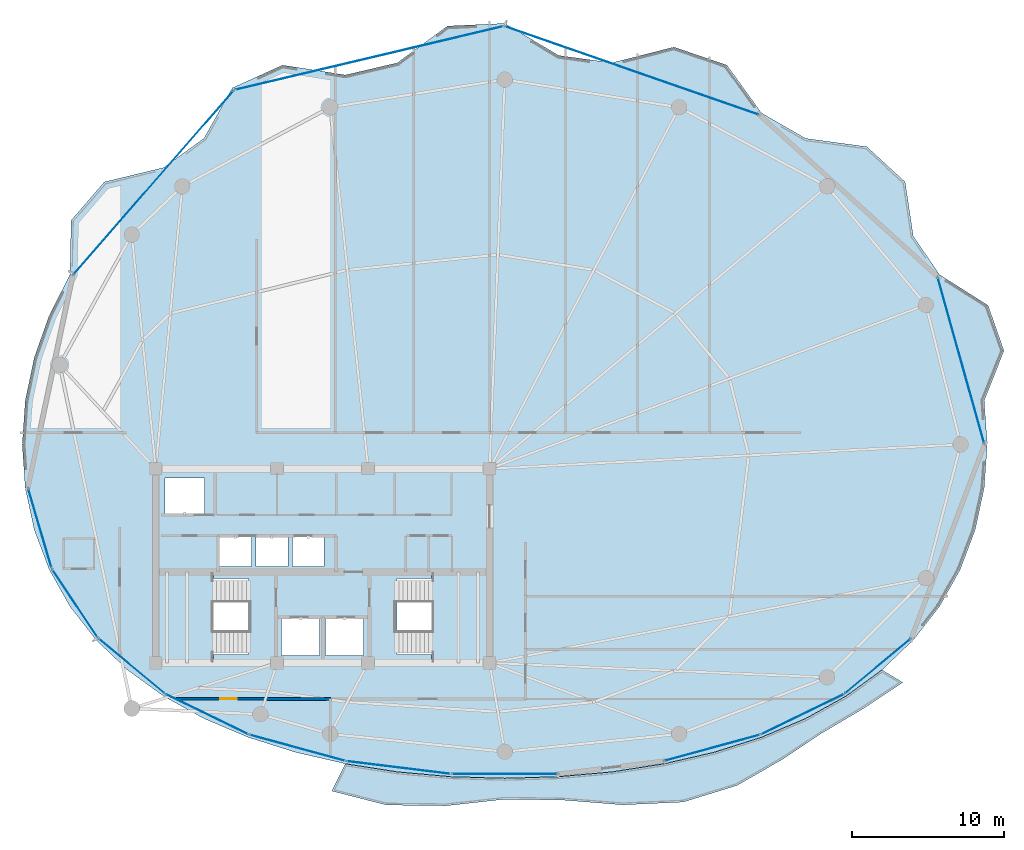
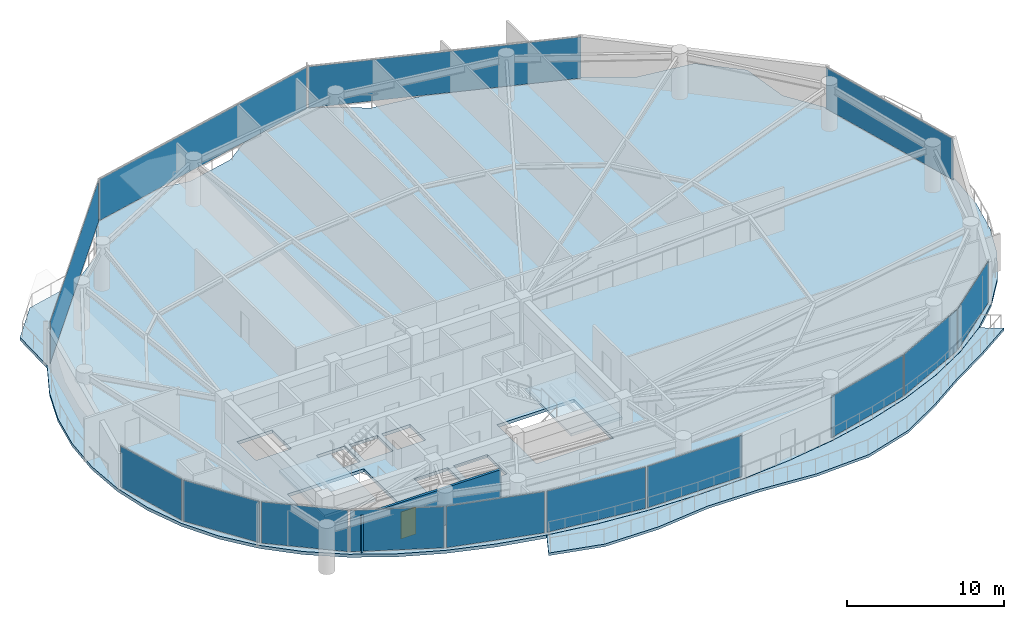
# One storey, part 22 of 28: 14 plates, 4 slabs, 1 door, 1 wall, 1 opening, 16 elements without a shape of their own.
"""IFC4 building model written with IfcOpenShell, lengths in metres."""

from ifc_helpers import new_model, si_unit, direction, frame, frame_2d, origin, origin_2d, place, context, subcontext, project, spatial, polyline, rectangle, outline, extrude, material, layer, layer_set, type_object, element, fill, aggregate, save


model = new_model("IFC4")

# Units and contexts
model_context = context("Model", 3, precision=1e-05, world=origin(), true_north=direction((0.0, 1.0)))
body_context = subcontext(model_context, "Body", "Model", "MODEL_VIEW")
ifc_project = project(units=[si_unit("LENGTHUNIT", "METRE"), si_unit("AREAUNIT", "SQUARE_METRE"), si_unit("VOLUMEUNIT", "CUBIC_METRE"), si_unit("PLANEANGLEUNIT", "RADIAN"), si_unit("MASSUNIT", "GRAM", prefix="KILO")], contexts=[model_context])

# Site, building, storey
site_placement = place(None, origin())
site = spatial("IfcSite", under=ifc_project, at=site_placement, CompositionType="ELEMENT")
building_placement = place(site_placement, origin())
building = spatial("IfcBuilding", under=site, at=building_placement, Name="Kazevale Care Tower and Concert Hall", CompositionType="ELEMENT")
storey_placement = place(building_placement, frame((0.0, 0.0, 231.60009765625)))
storey = spatial("IfcBuildingStorey", under=building, at=storey_placement, Name="L61", CompositionType="ELEMENT", Elevation=231.60009765625)

# Curtain wall, plate
ifc_material_1 = material(Name="Aluminium 6063-T6 and Low-E Glass", Category="aluminium")
ifc_layer_1 = layer(ifc_material_1, 0.179931640625)
ifc_layer_set_1 = layer_set([ifc_layer_1], Name="Aluminium 6063-T6 and Low-E Glass")
curtain_wall_type_1 = type_object("IfcCurtainWallType", Name="Convex Checkerboard Finned Curtain Wall CW-2", PredefinedType="NOTDEFINED", material=ifc_layer_set_1)
curtain_wall_1_placement = place(storey_placement, origin())
curtain_wall_1 = element("IfcCurtainWall", 1, at=curtain_wall_1_placement, inside=storey, type_object=curtain_wall_type_1, Name="cw:L61:f14", PredefinedType="NOTDEFINED")
ifc_material_2 = material(Name="Low-E Laminated Glass", Category="glass")
ifc_layer_2 = layer(ifc_material_2, 0.028076171875)
ifc_layer_set_2 = layer_set([ifc_layer_2], Name="Low-E Laminated Glass")
plate_type_1 = type_object("IfcPlateType", Name="CW-2 Low-E Glazing Panel 28mm", PredefinedType="CURTAIN_PANEL", material=ifc_layer_set_2)
plate_1_placement = place(storey_placement, frame((21.85009765625, 55.2529296875, 0.074951171875), z_axis=(0.0, 0.0, 1.0), x_axis=(0.657174776708, 0.753738225685, 0.0)))
plate_1 = element("IfcPlate", 2, at=plate_1_placement, type_object=plate_type_1, Name="CW-2 panel 1.1", PredefinedType="CURTAIN_PANEL", context=body_context, shape_type="SweptSolid", body=[
    extrude(rectangle(XDim=16.03662109375, YDim=0.028076171875, at=origin_2d()), origin(), (0.0, 0.0, 1.0), 3.2099609375),
])
aggregate(curtain_wall_1, [plate_1])

curtain_wall_2_placement = place(storey_placement, origin())
curtain_wall_2 = element("IfcCurtainWall", 3, at=curtain_wall_2_placement, inside=storey, type_object=curtain_wall_type_1, Name="cw:L61:f16", PredefinedType="NOTDEFINED")
plate_2_placement = place(storey_placement, frame((53.37451171875, 62.638427734375, 0.074951171875), z_axis=(0.0, 0.0, 1.0), x_axis=(0.94447485363, -0.328583704497, 0.0)))
plate_2 = element("IfcPlate", 4, at=plate_2_placement, type_object=plate_type_1, Name="CW-2 panel 1.1", PredefinedType="CURTAIN_PANEL", context=body_context, shape_type="SweptSolid", body=[
    extrude(rectangle(XDim=17.671142578125, YDim=0.028076171875, at=origin_2d()), origin(), (0.0, 0.0, 1.0), 3.2099609375),
])
aggregate(curtain_wall_2, [plate_2])

ifc_layer_3 = layer(ifc_material_1, 0.179931640625)
ifc_layer_set_3 = layer_set([ifc_layer_3], Name="Aluminium 6063-T6 and Low-E Glass")
curtain_wall_type_2 = type_object("IfcCurtainWallType", Name="Waist & Upper Residential Curtain Wall CW-4", PredefinedType="NOTDEFINED", material=ifc_layer_set_3)
curtain_wall_3_placement = place(storey_placement, origin())
curtain_wall_3 = element("IfcCurtainWall", 5, at=curtain_wall_3_placement, inside=storey, type_object=curtain_wall_type_2, Name="cw:L61:f11", PredefinedType="NOTDEFINED")
ifc_layer_4 = layer(ifc_material_2, 0.030029296875)
ifc_layer_set_4 = layer_set([ifc_layer_4], Name="Low-E Laminated Glass")
plate_type_2 = type_object("IfcPlateType", Name="CW-4 Low-E Glazing Panel 30mm", PredefinedType="CURTAIN_PANEL", material=ifc_layer_set_4)
plate_3_placement = place(storey_placement, frame((16.677978515625, 27.525390625, 0.080078125), z_axis=(0.0, 0.0, 1.0), x_axis=(-0.554616540853, 0.832106058512, 0.0)))
plate_3 = element("IfcPlate", 6, at=plate_3_placement, type_object=plate_type_2, Name="CW-4 panel 1.1", PredefinedType="CURTAIN_PANEL", context=body_context, shape_type="SweptSolid", body=[
    extrude(rectangle(XDim=5.357421875, YDim=0.030029296875, at=origin_2d()), origin(), (0.0, 0.0, 1.0), 3.199951171875),
])
aggregate(curtain_wall_3, [plate_3])

curtain_wall_4_placement = place(storey_placement, origin())
curtain_wall_4 = element("IfcCurtainWall", 7, at=curtain_wall_4_placement, inside=storey, type_object=curtain_wall_type_2, Name="cw:L61:f12", PredefinedType="NOTDEFINED")
plate_4_placement = place(storey_placement, frame((14.363525390625, 32.489013671875, 0.080078125), z_axis=(0.0, 0.0, 1.0), x_axis=(-0.282098184457, 0.959385539982, 0.0)))
plate_4 = element("IfcPlate", 8, at=plate_4_placement, type_object=plate_type_2, Name="CW-4 panel 1.1", PredefinedType="CURTAIN_PANEL", context=body_context, shape_type="SweptSolid", body=[
    extrude(rectangle(XDim=5.40185546875, YDim=0.030029296875, at=origin_2d()), origin(), (0.0, 0.0, 1.0), 3.199951171875),
])
aggregate(curtain_wall_4, [plate_4])

curtain_wall_5_placement = place(storey_placement, origin())
curtain_wall_5 = element("IfcCurtainWall", 9, at=curtain_wall_5_placement, inside=storey, type_object=curtain_wall_type_2, Name="cw:L61:f15", PredefinedType="NOTDEFINED")
plate_5_placement = place(storey_placement, frame((36.06298828125, 63.46240234375, 0.080078125), z_axis=(0.0, 0.0, 1.0), x_axis=(0.973086746233, 0.230439111929, 0.0)))
plate_5 = element("IfcPlate", 10, at=plate_5_placement, type_object=plate_type_2, Name="CW-4 panel 1.1", PredefinedType="CURTAIN_PANEL", context=body_context, shape_type="SweptSolid", body=[
    extrude(rectangle(XDim=18.11376953125, YDim=0.030029296875, at=origin_2d()), origin(), (0.0, 0.0, 1.0), 3.199951171875),
])
aggregate(curtain_wall_5, [plate_5])

curtain_wall_6_placement = place(storey_placement, origin())
curtain_wall_6 = element("IfcCurtainWall", 11, at=curtain_wall_6_placement, inside=storey, type_object=curtain_wall_type_2, Name="cw:L61:f18", PredefinedType="NOTDEFINED")
plate_6_placement = place(storey_placement, frame((75.071533203125, 43.531005859375, 0.080078125), z_axis=(0.0, 0.0, 1.0), x_axis=(0.269600864915, -0.962972156211, 0.0)))
plate_6 = element("IfcPlate", 12, at=plate_6_placement, type_object=plate_type_2, Name="CW-4 panel 1.1", PredefinedType="CURTAIN_PANEL", context=body_context, shape_type="SweptSolid", body=[
    extrude(rectangle(XDim=11.327392578125, YDim=0.030029296875, at=origin_2d()), origin(), (0.0, 0.0, 1.0), 3.199951171875),
])
aggregate(curtain_wall_6, [plate_6])

ifc_layer_5 = layer(ifc_material_1, 0.179931640625)
ifc_layer_set_5 = layer_set([ifc_layer_5], Name="Aluminium 6063-T6 and Low-E Glass")
curtain_wall_type_3 = type_object("IfcCurtainWallType", Name="Sheltered Concave Balcony Curtain Wall CW-5", PredefinedType="NOTDEFINED", material=ifc_layer_set_5)
curtain_wall_7_placement = place(storey_placement, origin())
curtain_wall_7 = element("IfcCurtainWall", 13, at=curtain_wall_7_placement, inside=storey, type_object=curtain_wall_type_3, Name="cw:L61:f02", PredefinedType="NOTDEFINED")
ifc_layer_6 = layer(ifc_material_2, 0.02587890625)
ifc_layer_set_6 = layer_set([ifc_layer_6], Name="Low-E Laminated Glass")
plate_type_3 = type_object("IfcPlateType", Name="CW-5 Low-E Glazing Panel 26mm", PredefinedType="CURTAIN_PANEL", material=ifc_layer_set_6)
plate_7_placement = place(storey_placement, frame((69.590576171875, 23.396484375, 0.074951171875), z_axis=(0.0, 0.0, 1.0), x_axis=(-0.768407210062, -0.639961217204, 0.0)))
plate_7 = element("IfcPlate", 14, at=plate_7_placement, type_object=plate_type_3, Name="CW-5 panel 1.1", PredefinedType="CURTAIN_PANEL", context=body_context, shape_type="SweptSolid", body=[
    extrude(rectangle(XDim=5.580078125, YDim=0.02587890625, at=origin_2d()), origin(), (0.0, 0.0, 1.0), 3.2099609375),
])
aggregate(curtain_wall_7, [plate_7])

curtain_wall_8_placement = place(storey_placement, origin())
curtain_wall_8 = element("IfcCurtainWall", 15, at=curtain_wall_8_placement, inside=storey, type_object=curtain_wall_type_3, Name="cw:L61:f03", PredefinedType="NOTDEFINED")
plate_8_placement = place(storey_placement, frame((64.62255859375, 20.218017578125, 0.074951171875), z_axis=(0.0, 0.0, 1.0), x_axis=(-0.89934566163, -0.437238357087, 0.0)))
plate_8 = element("IfcPlate", 16, at=plate_8_placement, type_object=plate_type_3, Name="CW-5 panel 1.1", PredefinedType="CURTAIN_PANEL", context=body_context, shape_type="SweptSolid", body=[
    extrude(rectangle(XDim=6.002197265625, YDim=0.02587890625, at=origin_2d()), origin(), (0.0, 0.0, 1.0), 3.2099609375),
])
aggregate(curtain_wall_8, [plate_8])

curtain_wall_9_placement = place(storey_placement, origin())
curtain_wall_9 = element("IfcCurtainWall", 17, at=curtain_wall_9_placement, inside=storey, type_object=curtain_wall_type_3, Name="cw:L61:f04", PredefinedType="NOTDEFINED")
plate_9_placement = place(storey_placement, frame((58.66259765625, 18.0029296875, 0.074951171875), z_axis=(0.0, 0.0, 1.0), x_axis=(-0.964836991167, -0.262848968947, 0.0)))
plate_9 = element("IfcPlate", 18, at=plate_9_placement, type_object=plate_type_3, Name="CW-5 panel 1.1", PredefinedType="CURTAIN_PANEL", context=body_context, shape_type="SweptSolid", body=[
    extrude(rectangle(XDim=6.4697265625, YDim=0.02587890625, at=origin_2d()), origin(), (0.0, 0.0, 1.0), 3.2099609375),
])
aggregate(curtain_wall_9, [plate_9])

curtain_wall_10_placement = place(storey_placement, origin())
curtain_wall_10 = element("IfcCurtainWall", 19, at=curtain_wall_10_placement, inside=storey, type_object=curtain_wall_type_3, Name="cw:L61:f06", PredefinedType="NOTDEFINED")
plate_10_placement = place(storey_placement, frame((45.0, 16.284912109375, 0.074951171875), z_axis=(0.0, 0.0, 1.0), x_axis=(-1.0, 0.0, 0.0)))
plate_10 = element("IfcPlate", 20, at=plate_10_placement, type_object=plate_type_3, Name="CW-5 panel 1.1", PredefinedType="CURTAIN_PANEL", context=body_context, shape_type="SweptSolid", body=[
    extrude(rectangle(XDim=6.949951171875, YDim=0.02587890625, at=origin_2d()), origin(), (0.0, 0.0, 1.0), 3.2099609375),
])
aggregate(curtain_wall_10, [plate_10])

curtain_wall_11_placement = place(storey_placement, origin())
curtain_wall_11 = element("IfcCurtainWall", 21, at=curtain_wall_11_placement, inside=storey, type_object=curtain_wall_type_3, Name="cw:L61:f07", PredefinedType="NOTDEFINED")
plate_11_placement = place(storey_placement, frame((37.990478515625, 16.708984375, 0.074951171875), z_axis=(0.0, 0.0, 1.0), x_axis=(-0.992572961225, 0.121650797964, 0.0)))
plate_11 = element("IfcPlate", 22, at=plate_11_placement, type_object=plate_type_3, Name="CW-5 panel 1.1", PredefinedType="CURTAIN_PANEL", context=body_context, shape_type="SweptSolid", body=[
    extrude(rectangle(XDim=6.82080078125, YDim=0.02587890625, at=origin_2d()), origin(), (0.0, 0.0, 1.0), 3.2099609375),
])
aggregate(curtain_wall_11, [plate_11])

curtain_wall_12_placement = place(storey_placement, origin())
curtain_wall_12 = element("IfcCurtainWall", 23, at=curtain_wall_12_placement, inside=storey, type_object=curtain_wall_type_3, Name="cw:L61:f08", PredefinedType="NOTDEFINED")
plate_12_placement = place(storey_placement, frame((31.33740234375, 18.0029296875, 0.074951171875), z_axis=(0.0, 0.0, 1.0), x_axis=(-0.964836991167, 0.262848968947, 0.0)))
plate_12 = element("IfcPlate", 24, at=plate_12_placement, type_object=plate_type_3, Name="CW-5 panel 1.1", PredefinedType="CURTAIN_PANEL", context=body_context, shape_type="SweptSolid", body=[
    extrude(rectangle(XDim=6.4697265625, YDim=0.02587890625, at=origin_2d()), origin(), (0.0, 0.0, 1.0), 3.2099609375),
])
aggregate(curtain_wall_12, [plate_12])

curtain_wall_13_placement = place(storey_placement, origin())
curtain_wall_13 = element("IfcCurtainWall", 25, at=curtain_wall_13_placement, inside=storey, type_object=curtain_wall_type_3, Name="cw:L61:f09", PredefinedType="NOTDEFINED")
plate_13_placement = place(storey_placement, frame((25.37744140625, 20.218017578125, 0.074951171875), z_axis=(0.0, 0.0, 1.0), x_axis=(-0.89934566163, 0.437238357087, 0.0)))
plate_13 = element("IfcPlate", 26, at=plate_13_placement, type_object=plate_type_3, Name="CW-5 panel 1.1", PredefinedType="CURTAIN_PANEL", context=body_context, shape_type="SweptSolid", body=[
    extrude(rectangle(XDim=6.002197265625, YDim=0.02587890625, at=origin_2d()), origin(), (0.0, 0.0, 1.0), 3.2099609375),
])
aggregate(curtain_wall_13, [plate_13])

curtain_wall_14_placement = place(storey_placement, origin())
curtain_wall_14 = element("IfcCurtainWall", 27, at=curtain_wall_14_placement, inside=storey, type_object=curtain_wall_type_3, Name="cw:L61:f10", PredefinedType="NOTDEFINED")
plate_14_placement = place(storey_placement, frame((20.409423828125, 23.396484375, 0.074951171875), z_axis=(0.0, 0.0, 1.0), x_axis=(-0.768407210062, 0.639961217204, 0.0)))
plate_14 = element("IfcPlate", 28, at=plate_14_placement, type_object=plate_type_3, Name="CW-5 panel 1.1", PredefinedType="CURTAIN_PANEL", context=body_context, shape_type="SweptSolid", body=[
    extrude(rectangle(XDim=5.580078125, YDim=0.02587890625, at=origin_2d()), origin(), (0.0, 0.0, 1.0), 3.2099609375),
])
aggregate(curtain_wall_14, [plate_14])

# Slab
ifc_material_3 = material(Name="Concrete C40", Category="concrete")
ifc_layer_7 = layer(ifc_material_3, 0.199951171875)
ifc_layer_set_7 = layer_set([ifc_layer_7], Name="Concrete C40")
slab_type_1 = type_object("IfcSlabType", Name="Sinusoidal Concave Balcony Slab 200", PredefinedType="USERDEFINED", material=ifc_layer_set_7)
slab_1_placement = place(storey_placement, frame((0.0, 0.0, -0.2001953125)))
element("IfcSlab", 29, at=slab_1_placement, inside=storey, type_object=slab_type_1, Name="slab:L61:bal", ObjectType="BALCONY", PredefinedType="USERDEFINED", context=body_context, shape_type="SweptSolid", body=[
    extrude(outline(polyline([(71.234619140625, 22.31640625), (68.611572265625, 20.580322265625), (65.888427734375, 18.966552734375), (63.23291015625, 17.204345703125), (60.2919921875, 15.516357421875), (56.7626953125, 14.431884765625), (52.78955078125, 14.2470703125), (48.81103515625, 14.56396484375), (45.0, 14.6171875), (41.12744140625, 14.185791015625), (37.206787109375, 14.235595703125), (33.60009765625, 15.158935546875), (34.494873046875, 16.951416015625), (34.49609375, 16.951171875), (37.923095703125, 16.417236328125), (41.439208984375, 16.10009765625), (45.0, 15.9951171875), (48.560791015625, 16.10009765625), (52.076904296875, 16.417236328125), (55.50390625, 16.951171875), (58.798828125, 17.708740234375), (61.92041015625, 18.69873046875), (64.8291015625, 19.92919921875), (67.48876953125, 21.406494140625), (69.865478515625, 23.133056640625), (69.86669921875, 23.13427734375), (71.234619140625, 22.31640625)])), origin(), (0.0, 0.0, 1.0), 0.2001953125),
])

# Stair, slab
stair_type = type_object("IfcStairType", Name="Exit Stair Assembly ST1-Z3", PredefinedType="HALF_TURN_STAIR", material=ifc_material_3)
stair_1_placement = place(storey_placement, origin())
stair_1 = element("IfcStair", 30, at=stair_1_placement, inside=storey, type_object=stair_type, Name="stair:L61:ST1", PredefinedType="HALF_TURN_STAIR")
ifc_layer_8 = layer(ifc_material_3, 0.199951171875)
ifc_layer_set_8 = layer_set([ifc_layer_8], Name="Concrete C40")
slab_type_2 = type_object("IfcSlabType", Name="Stair Half-Landing Slab ST1-Z3", PredefinedType="LANDING", material=ifc_layer_set_8)
slab_2_placement = place(storey_placement, frame((0.0, 0.0, 1.599853515625)))
slab_2 = element("IfcSlab", 31, at=slab_2_placement, type_object=slab_type_2, Name="ST1-Z3 landing 1", PredefinedType="LANDING", context=body_context, shape_type="SweptSolid", body=[
    extrude(outline(polyline([(22.050048828125, 23.699951171875), (25.81005859375, 23.699951171875), (25.81005859375, 29.5), (22.050048828125, 29.5), (22.050048828125, 23.699951171875)])), origin(), (0.0, 0.0, 1.0), 0.199951171875),
])
aggregate(stair_1, [slab_2])

stair_2_placement = place(storey_placement, origin())
stair_2 = element("IfcStair", 32, at=stair_2_placement, inside=storey, type_object=stair_type, Name="stair:L61:ST2", PredefinedType="HALF_TURN_STAIR")
slab_3_placement = place(storey_placement, frame((0.0, 0.0, 1.599853515625)))
slab_3 = element("IfcSlab", 33, at=slab_3_placement, type_object=slab_type_2, Name="ST1-Z3 landing 1", PredefinedType="LANDING", context=body_context, shape_type="SweptSolid", body=[
    extrude(outline(polyline([(40.18994140625, 23.699951171875), (43.949951171875, 23.699951171875), (43.949951171875, 29.5), (40.18994140625, 29.5), (40.18994140625, 23.699951171875)])), origin(), (0.0, 0.0, 1.0), 0.199951171875),
])
aggregate(stair_2, [slab_3])

# Slab
ifc_layer_9 = layer(ifc_material_3, 0.239990234375)
ifc_layer_set_9 = layer_set([ifc_layer_9], Name="Concrete C40")
slab_type_3 = type_object("IfcSlabType", Name="Tower Typical Floor Slab 240", PredefinedType="FLOOR", material=ifc_layer_set_9)
slab_4_placement = place(storey_placement, frame((0.0, 0.0, -0.239990234375)))
element("IfcSlab", 34, at=slab_4_placement, inside=storey, type_object=slab_type_3, Name="slab:L61:tw:1", PredefinedType="FLOOR", context=body_context, shape_type="SweptSolid", body=[
    extrude(outline(polyline([(76.800048828125, 38.0), (76.60009765625, 40.888671875), (77.90380859375, 44.175048828125), (76.856201171875, 47.165283203125), (73.65087890625, 49.194091796875), (71.92578125, 51.726318359375), (71.38671875, 55.3017578125), (68.864990234375, 57.622314453125), (64.826904296875, 58.17138671875), (61.918701171875, 59.845458984375), (59.6435546875, 63.001953125), (56.14697265625, 64.19287109375), (52.076171875, 63.153076171875), (48.560546875, 63.6376953125), (45.0, 65.75), (41.22119140625, 65.575439453125), (37.923828125, 63.153076171875), (34.4970703125, 62.352294921875), (30.3564453125, 63.001953125), (27.0439453125, 61.49658203125), (25.173095703125, 58.17138671875), (22.513916015625, 56.243408203125), (18.61328125, 55.3017578125), (16.423095703125, 52.763916015625), (16.34912109375, 49.194091796875), (14.984619140625, 46.521240234375), (13.997314453125, 43.740966796875), (13.39990234375, 40.888671875), (13.199951171875, 38.0), (13.39990234375, 35.131103515625), (13.997314453125, 32.362060546875), (14.984619140625, 29.744873046875), (16.34912109375, 27.318115234375), (18.07421875, 25.109130859375), (20.1376953125, 23.13671875), (22.513916015625, 21.41064453125), (25.173095703125, 19.933837890625), (28.081298828125, 18.70361328125), (31.202392578125, 17.713623046875), (34.4970703125, 16.9560546875), (37.923828125, 16.422119140625), (41.439453125, 16.10498046875), (45.0, 16.0), (48.560546875, 16.10498046875), (52.076171875, 16.422119140625), (55.5029296875, 16.9560546875), (58.797607421875, 17.713623046875), (61.918701171875, 18.70361328125), (64.826904296875, 19.933837890625), (67.486083984375, 21.41064453125), (69.8623046875, 23.13671875), (71.92578125, 25.109130859375), (73.65087890625, 27.318115234375), (75.015380859375, 29.744873046875), (76.002685546875, 32.362060546875), (76.60009765625, 35.131103515625), (76.800048828125, 38.0)]), holes=[polyline([(22.449951171875, 24.14990234375), (28.110107421875, 24.14990234375), (28.110107421875, 29.14990234375), (22.449951171875, 29.14990234375), (22.449951171875, 24.14990234375)]), polyline([(37.889892578125, 24.14990234375), (43.550048828125, 24.14990234375), (43.550048828125, 29.14990234375), (37.889892578125, 29.14990234375), (37.889892578125, 24.14990234375)]), polyline([(30.300048828125, 24.10009765625), (32.800048828125, 24.10009765625), (32.800048828125, 26.60009765625), (30.300048828125, 26.60009765625), (30.300048828125, 24.10009765625)]), polyline([(33.199951171875, 24.10009765625), (35.699951171875, 24.10009765625), (35.699951171875, 26.60009765625), (33.199951171875, 26.60009765625), (33.199951171875, 24.10009765625)]), polyline([(22.60009765625, 33.39990234375), (25.199951171875, 33.39990234375), (25.199951171875, 35.800048828125), (22.60009765625, 35.800048828125), (22.60009765625, 33.39990234375)]), polyline([(26.199951171875, 29.949951171875), (28.300048828125, 29.949951171875), (28.300048828125, 31.949951171875), (26.199951171875, 31.949951171875), (26.199951171875, 29.949951171875)]), polyline([(28.60009765625, 29.949951171875), (30.699951171875, 29.949951171875), (30.699951171875, 31.949951171875), (28.60009765625, 31.949951171875), (28.60009765625, 29.949951171875)]), polyline([(31.0, 29.949951171875), (33.10009765625, 29.949951171875), (33.10009765625, 31.949951171875), (31.0, 31.949951171875), (31.0, 29.949951171875)])]), origin(), (0.0, 0.0, 1.0), 0.239990234375),
])

# Wall, opening, door
ifc_material_4 = material(Name="Concrete C40 and Acoustic Gypsum", Category="concrete")
ifc_layer_10 = layer(ifc_material_4, 0.179931640625)
ifc_layer_set_10 = layer_set([ifc_layer_10], Name="Concrete C40 and Acoustic Gypsum")
wall_type = type_object("IfcWallType", Name="Fire-Rated Corridor & Party Wall 180", PredefinedType="PARTITIONING", material=ifc_layer_set_10)
wall_placement = place(storey_placement, frame((33.56494140625, 21.22509765625, 0.0), z_axis=(0.0, 0.0, 1.0), x_axis=(-0.999998619279, 0.001661758222, 0.0)))
wall = element("IfcWall", 35, at=wall_placement, inside=storey, type_object=wall_type, Name="wall:L61:auto_013", PredefinedType="PARTITIONING", context=body_context, shape_type="SweptSolid", body=[
    extrude(rectangle(XDim=10.2841796875, YDim=0.179931640625, at=frame_2d((5.14208984375, 0.0))), origin(), (0.0, 0.0, 1.0), 2.889892578125),
])
opening_placement = place(wall_placement, frame((6.22900390625, 0.0, 0.0)))
opening = element("IfcOpeningElement", 36, at=opening_placement, cuts=wall, Name="Opening ID-1100", PredefinedType="OPENING", context=body_context, shape_type="SweptSolid", body=[
    extrude(rectangle(XDim=1.10009765625, YDim=2.10009765625, at=frame_2d((0.550048828125, 1.050048828125))), frame((0.0, 0.099853515625, 0.0), z_axis=(0.0, -1.0, 0.0), x_axis=(1.0, 0.0, 0.0)), (0.0, 0.0, 1.0), 0.199951171875),
])
ifc_material_5 = material(Name="Oak Timber Fire Leaf", Category="wood")
door_type = type_object("IfcDoorType", Name="Care Bedroom Accessible Door 1100x2100", OperationType="NOTDEFINED", PredefinedType="DOOR", material=ifc_material_5)
door_placement = place(opening_placement, origin())
door = element("IfcDoor", 37, at=door_placement, inside=storey, type_object=door_type, Name="door:L61:ad_013", OperationType="SINGLE_SWING_LEFT", OverallHeight=2.10009765625, OverallWidth=1.10009765625, PredefinedType="DOOR", context=body_context, shape_type="SweptSolid", body=[
    extrude(rectangle(XDim=1.10009765625, YDim=2.10009765625, at=frame_2d((0.550048828125, 1.050048828125))), frame((0.0, 0.02490234375, 0.0), z_axis=(0.0, -1.0, 0.0), x_axis=(1.0, 0.0, 0.0)), (0.0, 0.0, 1.0), 0.050048828125),
])
fill(opening, door)

save(model, "model.ifc")
